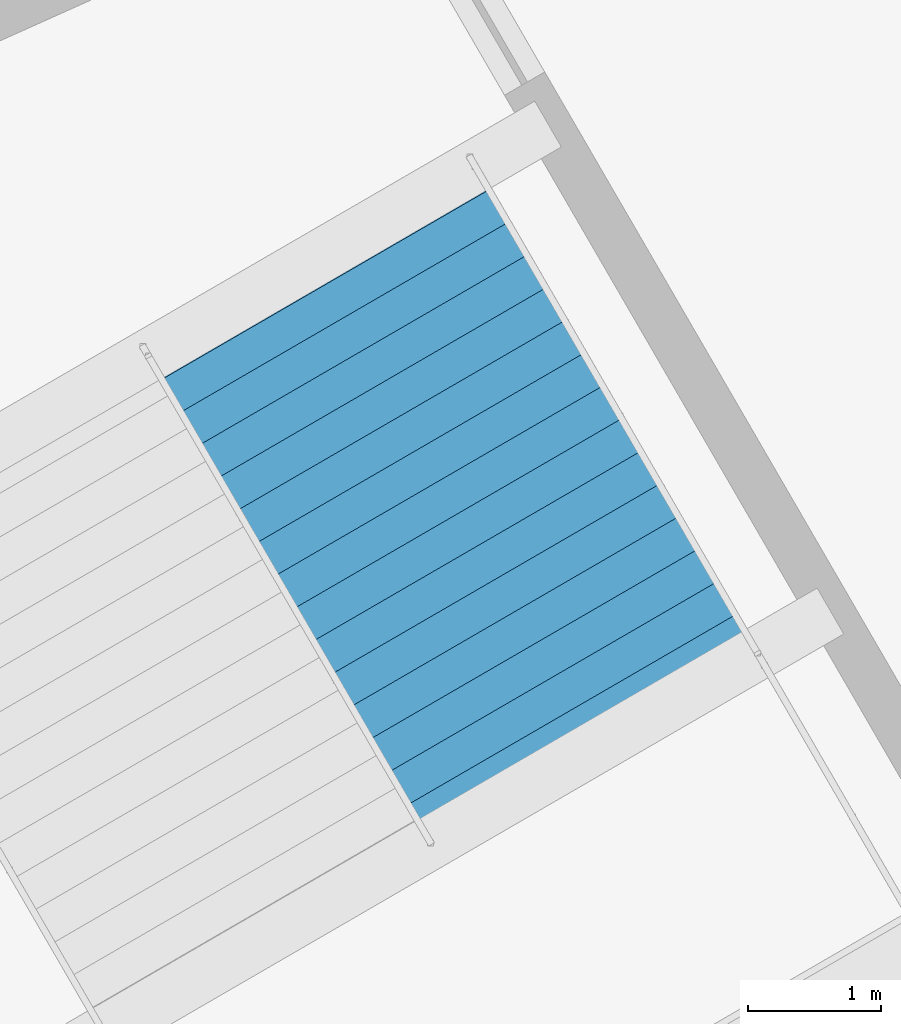
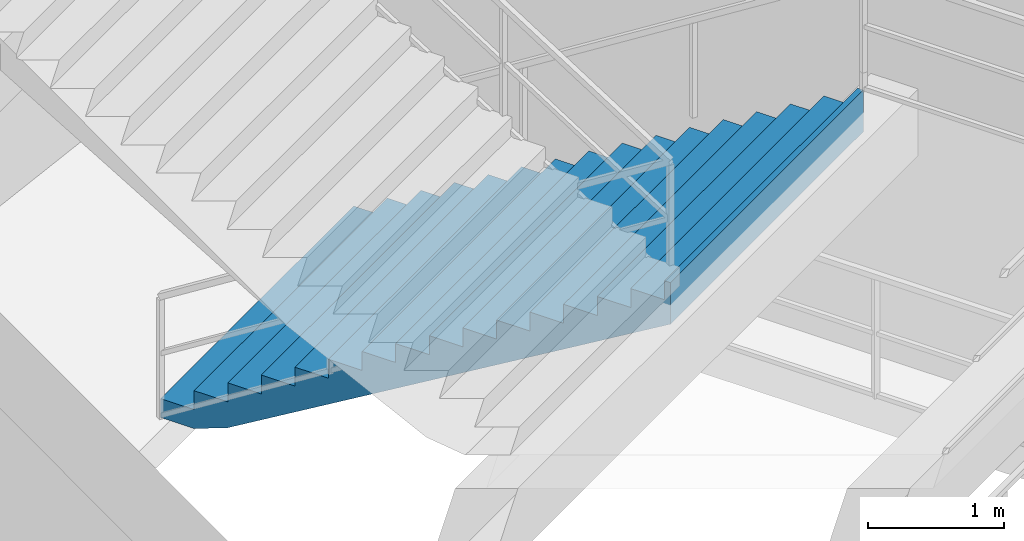
# One storey, part 144 of 186: 1 stair flight, 1 element without a shape of its own.
"""IFC4 building model written with IfcOpenShell, lengths in metres."""

import ifcopenshell
import ifcopenshell.guid

model = None  # the IFC model being written
_history = None  # IfcOwnerHistory: only IFC2X3 demands one
_inside = {}  # id of a spatial element -> (the spatial element, [elements in it])
_under = {}  # id of a project, library or spatial element -> (it, [spatial elements below it])
_declared = {}  # id of a project -> (the project, [libraries it declares])
_typed = {}  # id of a type object -> (the type object, [elements of that type])
_made_of = {}  # id of a material, layer set ... -> (it, [elements and type objects made of it])


def new_model(schema):
    """Start an empty IFC model of exactly this schema.

    Asked for "IFC4X3", IfcOpenShell would pick the latest addendum, in which some entities
    have other attributes; the version numbers below select the first issue.
    IFC2X3 requires an IfcOwnerHistory on every rooted entity: one is made here for all.
    """
    global model, _history
    if schema == "IFC4X3":
        model = ifcopenshell.file(schema_version=(4, 3, 0, 0))
    else:
        model = ifcopenshell.file(schema=schema)
    _inside.clear()
    _under.clear()
    _declared.clear()
    _typed.clear()
    _made_of.clear()
    _history = None
    if model.schema == "IFC2X3":
        org = make("IfcOrganization", Name="unknown")
        user = make(
            "IfcPersonAndOrganization",
            ThePerson=make("IfcPerson", FamilyName="unknown"),
            TheOrganization=org,
        )
        app = make(
            "IfcApplication",
            ApplicationDeveloper=org,
            Version="unknown",
            ApplicationFullName="unknown",
            ApplicationIdentifier="unknown",
        )
        _history = make(
            "IfcOwnerHistory",
            OwningUser=user,
            OwningApplication=app,
            ChangeAction="ADDED",
            CreationDate=0,
        )
    return model


def make(cls, **values):
    """One entity of the class cls with the attributes given. An attribute that is None is left unset."""
    return model.create_entity(
        cls, **{name: value for name, value in values.items() if value is not None}
    )


def rooted(cls, **values):
    """An entity with a GlobalId (a new one), such as an element, a storey or a relation."""
    return make(cls, GlobalId=ifcopenshell.guid.new(), OwnerHistory=_history, **values)


def si_unit(unit_type, name, prefix=None):
    """IfcSIUnit, for example si_unit("LENGTHUNIT", "METRE", prefix="MILLI")."""
    return make("IfcSIUnit", UnitType=unit_type, Prefix=prefix, Name=name)


def assignment(units):
    """IfcUnitAssignment: the units of a project."""
    return None if units is None else make("IfcUnitAssignment", Units=units)


def point(xyz):
    """IfcCartesianPoint."""
    return None if xyz is None else make("IfcCartesianPoint", Coordinates=xyz)


def direction(xyz):
    """IfcDirection."""
    return None if xyz is None else make("IfcDirection", DirectionRatios=xyz)


def frame(location, z_axis=None, x_axis=None):
    """IfcAxis2Placement3D, a coordinate frame: its origin and axes. An axis left out is left unset."""
    return make(
        "IfcAxis2Placement3D",
        Location=point(location),
        Axis=direction(z_axis),
        RefDirection=direction(x_axis),
    )


def origin():
    """The frame at (0, 0, 0) with its axes left unset."""
    return frame((0.0, 0.0, 0.0))


def place(relative_to, where):
    """IfcLocalPlacement: puts the frame where relative to a parent placement (None: the world)."""
    return make(
        "IfcLocalPlacement", PlacementRelTo=relative_to, RelativePlacement=where
    )


def context(
    kind, dimensions, precision=None, world=None, true_north=None, identifier=None
):
    """IfcGeometricRepresentationContext, for example the 3D "Model" context."""
    return make(
        "IfcGeometricRepresentationContext",
        ContextIdentifier=identifier,
        ContextType=kind,
        CoordinateSpaceDimension=dimensions,
        Precision=precision,
        WorldCoordinateSystem=world,
        TrueNorth=true_north,
    )


def subcontext(parent, identifier, kind, view, scale=None):
    """IfcGeometricRepresentationSubContext, for example "Body" below "Model"."""
    return make(
        "IfcGeometricRepresentationSubContext",
        ContextIdentifier=identifier,
        ContextType=kind,
        ParentContext=parent,
        TargetScale=scale,
        TargetView=view,
    )


def project(units=None, contexts=None):
    """IfcProject with its units and contexts."""
    return rooted(
        "IfcProject",
        Name="project",
        RepresentationContexts=contexts,
        UnitsInContext=assignment(units),
    )


def spatial(cls, under=None, at=None, **own):
    """A site, building, storey or space (cls), placed at a placement, below another one or the project."""
    s = rooted(cls, ObjectPlacement=at, **own)
    if under is not None:
        _under.setdefault(under.id(), (under, []))[1].append(s)
    return s


def point_list(points):
    """IfcCartesianPointList2D or 3D."""
    cls = (
        "IfcCartesianPointList2D" if len(points[0]) == 2 else "IfcCartesianPointList3D"
    )
    return make(cls, CoordList=points)


def polygons(points, faces, closed=None, point_numbers=None):
    """IfcPolygonalFaceSet: a face is its outer loop, then its inner loops; points numbered from 1."""
    made = []
    for loops in faces:
        if len(loops) == 1:
            made.append(make("IfcIndexedPolygonalFace", CoordIndex=loops[0]))
        else:
            made.append(
                make(
                    "IfcIndexedPolygonalFaceWithVoids",
                    CoordIndex=loops[0],
                    InnerCoordIndices=loops[1:],
                )
            )
    return make(
        "IfcPolygonalFaceSet",
        Coordinates=point_list(points),
        Closed=closed,
        Faces=made,
        PnIndex=point_numbers,
    )


def shape(context_of_items, identifier, shape_type, items):
    """IfcShapeRepresentation: the items that make up one representation, for example the "Body"."""
    return make(
        "IfcShapeRepresentation",
        ContextOfItems=context_of_items,
        RepresentationIdentifier=identifier,
        RepresentationType=shape_type,
        Items=items,
    )


def material(Name=None, Category=None):
    """IfcMaterial."""
    return make("IfcMaterial", Name=Name, Category=Category)


def made_of(thing, what):
    """Note that an element or type object is made of a material, layer set ...; save() writes the relation."""
    if what is not None:
        _made_of.setdefault(what.id(), (what, []))[1].append(thing)
    return thing


def type_object(cls, material=None, **own):
    """A type object (cls), such as IfcWallType, which elements share."""
    return made_of(rooted(cls, **own), material)


def element(
    cls,
    number,
    at=None,
    inside=None,
    cuts=None,
    type_object=None,
    material=None,
    context=None,
    identifier="Body",
    shape_type=None,
    held_by="IfcProductDefinitionShape",
    body=None,
    shapes=None,
    **own,
):
    """One element of the class cls, such as IfcWall. Its Tag is "e" and its number.

    at: its placement. inside: the storey or other place that contains it. cuts: it is an
    opening in that element (IfcRelVoidsElement). A single representation is given by context,
    identifier, shape_type and body (its items); several are given by shapes. held_by: the class
    of the entity that holds the representations. save() writes the other relations.
    """
    e = rooted(cls, Tag="e%d" % number, ObjectPlacement=at, **own)
    if body is not None:
        shapes = [shape(context, identifier, shape_type, body)]
    if shapes is not None:
        e.Representation = make(held_by, Representations=shapes)
    if inside is not None:
        _inside.setdefault(inside.id(), (inside, []))[1].append(e)
    if cuts is not None:
        rooted(
            "IfcRelVoidsElement", RelatingBuildingElement=cuts, RelatedOpeningElement=e
        )
    if type_object is not None:
        _typed.setdefault(type_object.id(), (type_object, []))[1].append(e)
    return made_of(e, material)


def aggregate(whole, parts):
    """IfcRelAggregates: a whole, such as a stair, and the parts it consists of."""
    return rooted("IfcRelAggregates", RelatingObject=whole, RelatedObjects=parts)


def save(model, path):
    """Write the relations noted so far, then the file.

    IfcRelAggregates (storeys below a building ...), IfcRelContainedInSpatialStructure (elements
    in a storey), IfcRelDefinesByType, IfcRelAssociatesMaterial and IfcRelDeclares: one each for
    every whole, place, type object, material and project.
    """
    for whole, parts in _under.values():
        aggregate(whole, parts)
    for where, things in _inside.values():
        rooted(
            "IfcRelContainedInSpatialStructure",
            RelatedElements=things,
            RelatingStructure=where,
        )
    for kind, things in _typed.values():
        rooted("IfcRelDefinesByType", RelatedObjects=things, RelatingType=kind)
    for what, things in _made_of.values():
        rooted("IfcRelAssociatesMaterial", RelatedObjects=things, RelatingMaterial=what)
    for by, libraries in _declared.values():
        rooted("IfcRelDeclares", RelatingContext=by, RelatedDefinitions=libraries)
    model.write(path)


model = new_model("IFC4")

# Units and contexts
model_context = context("Model", 3, precision=1e-05, world=origin(), true_north=direction((0.0, 1.0)))
body_context = subcontext(model_context, "Body", "Model", "MODEL_VIEW")
ifc_project = project(units=[si_unit("LENGTHUNIT", "METRE"), si_unit("AREAUNIT", "SQUARE_METRE"), si_unit("VOLUMEUNIT", "CUBIC_METRE"), si_unit("PLANEANGLEUNIT", "RADIAN"), si_unit("MASSUNIT", "GRAM", prefix="KILO")], contexts=[model_context])

# Site, building, storey
site_placement = place(None, origin())
site = spatial("IfcSite", under=ifc_project, at=site_placement, CompositionType="ELEMENT")
building_placement = place(site_placement, origin())
building = spatial("IfcBuilding", under=site, at=building_placement, Name="Kazemori Nagisa Stadium", CompositionType="ELEMENT")
storey_placement = place(building_placement, frame((0.0, 0.0, 20.39990234375)))
storey = spatial("IfcBuildingStorey", under=building, at=storey_placement, Name="L04", CompositionType="ELEMENT", Elevation=20.39990234375)

# Stair, stair flight
ifc_material = material(Name="Concrete C36/45 (Fc36)", Category="concrete")
stair_type = type_object("IfcStairType", Name="Stair_CORE_32", PredefinedType="TWO_STRAIGHT_RUN_STAIR", material=ifc_material)
stair_placement = place(storey_placement, origin())
stair = element("IfcStair", 1, at=stair_placement, inside=storey, type_object=stair_type, Name="Exit stair ST09 L04", PredefinedType="TWO_STRAIGHT_RUN_STAIR")
stair_flight_type = type_object("IfcStairFlightType", Name="Flight_CORE_16", PredefinedType="STRAIGHT", material=ifc_material)
stair_flight_placement = place(storey_placement, frame((43.585693359375, 63.55029296875, 0.0), z_axis=(0.0, 0.0, 1.0), x_axis=(0.501596719773, -0.865101572483, 0.0)))
stair_flight = element("IfcStairFlight", 2, at=stair_flight_placement, type_object=stair_flight_type, Name="Exit stair ST09 L04 flight 1", NumberOfRisers=16, NumberOfTreads=15, PredefinedType="STRAIGHT", RiserHeight=0.17, TreadLength=0.285, context=body_context, shape_type="Tessellation", body=[
    polygons([(0.0, -1.425048828125, 0.0), (0.0, -1.425048828125, 0.169921875), (0.284912109375, -1.425048828125, 0.169921875), (0.284912109375, -1.425048828125, 0.340087890625), (0.570068359375, -1.425048828125, 0.340087890625), (0.570068359375, -1.425048828125, 0.510009765625), (0.85498046875, -1.425048828125, 0.510009765625), (0.85498046875, -1.425048828125, 0.679931640625), (1.139892578125, -1.425048828125, 0.679931640625), (1.139892578125, -1.425048828125, 0.85009765625), (1.425048828125, -1.425048828125, 0.85009765625), (1.425048828125, -1.425048828125, 1.02001953125), (1.7099609375, -1.425048828125, 1.02001953125), (1.7099609375, -1.425048828125, 1.18994140625), (1.9951171875, -1.425048828125, 1.18994140625), (1.9951171875, -1.425048828125, 1.360107421875), (2.280029296875, -1.425048828125, 1.360107421875), (2.280029296875, -1.425048828125, 1.530029296875), (2.56494140625, -1.425048828125, 1.530029296875), (2.56494140625, -1.425048828125, 1.699951171875), (2.85009765625, -1.425048828125, 1.699951171875), (2.85009765625, -1.425048828125, 1.8701171875), (3.135009765625, -1.425048828125, 1.8701171875), (3.135009765625, -1.425048828125, 2.0400390625), (3.419921875, -1.425048828125, 2.0400390625), (3.419921875, -1.425048828125, 2.2099609375), (3.705078125, -1.425048828125, 2.2099609375), (3.705078125, -1.425048828125, 2.3798828125), (3.989990234375, -1.425048828125, 2.3798828125), (3.989990234375, -1.425048828125, 2.550048828125), (4.27490234375, -1.425048828125, 2.550048828125), (4.27490234375, -1.425048828125, 2.719970703125), (4.324951171875, -1.425048828125, 2.719970703125), (4.324951171875, -1.425048828125, 2.346923828125), (4.27490234375, -1.425048828125, 2.317138671875), (3.989990234375, -1.425048828125, 2.147216796875), (3.705078125, -1.425048828125, 1.977294921875), (3.419921875, -1.425048828125, 1.80712890625), (3.135009765625, -1.425048828125, 1.63720703125), (2.85009765625, -1.425048828125, 1.46728515625), (2.56494140625, -1.425048828125, 1.297119140625), (2.280029296875, -1.425048828125, 1.127197265625), (1.9951171875, -1.425048828125, 0.957275390625), (1.7099609375, -1.425048828125, 0.787109375), (1.425048828125, -1.425048828125, 0.6171875), (1.139892578125, -1.425048828125, 0.447265625), (0.85498046875, -1.425048828125, 0.277099609375), (0.570068359375, -1.425048828125, 0.107177734375), (0.284912109375, -1.425048828125, 0.0), (0.0, -0.08544921875, 0.0), (0.0, -0.08544921875, 0.169921875), (0.284912109375, -0.08544921875, 0.169921875), (0.284912109375, -0.08544921875, 0.340087890625), (0.570068359375, -0.08544921875, 0.340087890625), (0.570068359375, -0.08544921875, 0.510009765625), (0.85498046875, -0.08544921875, 0.510009765625), (0.85498046875, -0.08544921875, 0.679931640625), (1.139892578125, -0.08544921875, 0.679931640625), (1.139892578125, -0.08544921875, 0.85009765625), (1.425048828125, -0.08544921875, 0.85009765625), (1.425048828125, -0.08544921875, 1.02001953125), (1.7099609375, -0.08544921875, 1.02001953125), (1.7099609375, -0.08544921875, 1.18994140625), (1.9951171875, -0.08544921875, 1.18994140625), (1.9951171875, -0.08544921875, 1.360107421875), (2.280029296875, -0.08544921875, 1.360107421875), (2.280029296875, -0.08544921875, 1.530029296875), (2.56494140625, -0.08544921875, 1.530029296875), (2.56494140625, -0.08544921875, 1.699951171875), (2.85009765625, -0.08544921875, 1.699951171875), (2.85009765625, -0.08544921875, 1.8701171875), (3.135009765625, -0.08544921875, 1.8701171875), (3.135009765625, -0.08544921875, 2.0400390625), (3.419921875, -0.08544921875, 2.0400390625), (3.419921875, -0.08544921875, 2.2099609375), (3.705078125, -0.08544921875, 2.2099609375), (3.705078125, -0.08544921875, 2.3798828125), (3.989990234375, -0.08544921875, 2.3798828125), (3.989990234375, -0.08544921875, 2.550048828125), (4.27490234375, -0.08544921875, 2.550048828125), (4.27490234375, -0.08544921875, 2.719970703125), (4.324951171875, -0.08544921875, 2.719970703125), (4.324951171875, -0.08544921875, 2.346923828125), (4.27490234375, -0.08544921875, 2.317138671875), (3.989990234375, -0.08544921875, 2.147216796875), (3.705078125, -0.08544921875, 1.977294921875), (3.419921875, -0.08544921875, 1.80712890625), (3.135009765625, -0.08544921875, 1.63720703125), (2.85009765625, -0.08544921875, 1.46728515625), (2.56494140625, -0.08544921875, 1.297119140625), (2.280029296875, -0.08544921875, 1.127197265625), (1.9951171875, -0.08544921875, 0.957275390625), (1.7099609375, -0.08544921875, 0.787109375), (1.425048828125, -0.08544921875, 0.6171875), (1.139892578125, -0.08544921875, 0.447265625), (0.85498046875, -0.08544921875, 0.277099609375), (0.570068359375, -0.08544921875, 0.107177734375), (0.284912109375, -0.08544921875, 0.0), (0.0, 0.0, 0.0), (0.0, 0.0, 0.169921875), (0.284912109375, 0.0, 0.169921875), (0.284912109375, 0.0, 0.340087890625), (0.570068359375, 0.0, 0.340087890625), (0.570068359375, 0.0, 0.510009765625), (0.85498046875, 0.0, 0.510009765625), (0.85498046875, 0.0, 0.679931640625), (1.139892578125, 0.0, 0.679931640625), (1.139892578125, 0.0, 0.85009765625), (1.425048828125, 0.0, 0.85009765625), (1.425048828125, 0.0, 1.02001953125), (1.7099609375, 0.0, 1.02001953125), (1.7099609375, 0.0, 1.18994140625), (1.9951171875, 0.0, 1.18994140625), (1.9951171875, 0.0, 1.360107421875), (2.280029296875, 0.0, 1.360107421875), (2.280029296875, 0.0, 1.530029296875), (2.56494140625, 0.0, 1.530029296875), (2.56494140625, 0.0, 1.699951171875), (2.85009765625, 0.0, 1.699951171875), (2.85009765625, 0.0, 1.8701171875), (3.135009765625, 0.0, 1.8701171875), (3.135009765625, 0.0, 2.0400390625), (3.419921875, 0.0, 2.0400390625), (3.419921875, 0.0, 2.2099609375), (3.705078125, 0.0, 2.2099609375), (3.705078125, 0.0, 2.3798828125), (3.989990234375, 0.0, 2.3798828125), (3.989990234375, 0.0, 2.550048828125), (4.27490234375, 0.0, 2.550048828125), (4.27490234375, 0.0, 2.719970703125), (4.324951171875, 0.0, 2.719970703125), (4.324951171875, 0.0, 2.346923828125), (4.27490234375, 0.0, 2.317138671875), (3.989990234375, 0.0, 2.147216796875), (3.705078125, 0.0, 1.977294921875), (3.419921875, 0.0, 1.80712890625), (3.135009765625, 0.0, 1.63720703125), (2.85009765625, 0.0, 1.46728515625), (2.56494140625, 0.0, 1.297119140625), (2.280029296875, 0.0, 1.127197265625), (1.9951171875, 0.0, 0.957275390625), (1.7099609375, 0.0, 0.787109375), (1.425048828125, 0.0, 0.6171875), (1.139892578125, 0.0, 0.447265625), (0.85498046875, 0.0, 0.277099609375), (0.570068359375, 0.0, 0.107177734375), (0.284912109375, 0.0, 0.0), (0.0, 0.08544921875, 0.0), (0.0, 0.08544921875, 0.169921875), (0.284912109375, 0.08544921875, 0.169921875), (0.284912109375, 0.08544921875, 0.340087890625), (0.570068359375, 0.08544921875, 0.340087890625), (0.570068359375, 0.08544921875, 0.510009765625), (0.85498046875, 0.08544921875, 0.510009765625), (0.85498046875, 0.08544921875, 0.679931640625), (1.139892578125, 0.08544921875, 0.679931640625), (1.139892578125, 0.08544921875, 0.85009765625), (1.425048828125, 0.08544921875, 0.85009765625), (1.425048828125, 0.08544921875, 1.02001953125), (1.7099609375, 0.08544921875, 1.02001953125), (1.7099609375, 0.08544921875, 1.18994140625), (1.9951171875, 0.08544921875, 1.18994140625), (1.9951171875, 0.08544921875, 1.360107421875), (2.280029296875, 0.08544921875, 1.360107421875), (2.280029296875, 0.08544921875, 1.530029296875), (2.56494140625, 0.08544921875, 1.530029296875), (2.56494140625, 0.08544921875, 1.699951171875), (2.85009765625, 0.08544921875, 1.699951171875), (2.85009765625, 0.08544921875, 1.8701171875), (3.135009765625, 0.08544921875, 1.8701171875), (3.135009765625, 0.08544921875, 2.0400390625), (3.419921875, 0.08544921875, 2.0400390625), (3.419921875, 0.08544921875, 2.2099609375), (3.705078125, 0.08544921875, 2.2099609375), (3.705078125, 0.08544921875, 2.3798828125), (3.989990234375, 0.08544921875, 2.3798828125), (3.989990234375, 0.08544921875, 2.550048828125), (4.27490234375, 0.08544921875, 2.550048828125), (4.27490234375, 0.08544921875, 2.719970703125), (4.324951171875, 0.08544921875, 2.719970703125), (4.324951171875, 0.08544921875, 2.346923828125), (4.27490234375, 0.08544921875, 2.317138671875), (3.989990234375, 0.08544921875, 2.147216796875), (3.705078125, 0.08544921875, 1.977294921875), (3.419921875, 0.08544921875, 1.80712890625), (3.135009765625, 0.08544921875, 1.63720703125), (2.85009765625, 0.08544921875, 1.46728515625), (2.56494140625, 0.08544921875, 1.297119140625), (2.280029296875, 0.08544921875, 1.127197265625), (1.9951171875, 0.08544921875, 0.957275390625), (1.7099609375, 0.08544921875, 0.787109375), (1.425048828125, 0.08544921875, 0.6171875), (1.139892578125, 0.08544921875, 0.447265625), (0.85498046875, 0.08544921875, 0.277099609375), (0.570068359375, 0.08544921875, 0.107177734375), (0.284912109375, 0.08544921875, 0.0), (0.0, 1.425048828125, 0.0), (0.0, 1.425048828125, 0.169921875), (0.284912109375, 1.425048828125, 0.169921875), (0.284912109375, 1.425048828125, 0.340087890625), (0.570068359375, 1.425048828125, 0.340087890625), (0.570068359375, 1.425048828125, 0.510009765625), (0.85498046875, 1.425048828125, 0.510009765625), (0.85498046875, 1.425048828125, 0.679931640625), (1.139892578125, 1.425048828125, 0.679931640625), (1.139892578125, 1.425048828125, 0.85009765625), (1.425048828125, 1.425048828125, 0.85009765625), (1.425048828125, 1.425048828125, 1.02001953125), (1.7099609375, 1.425048828125, 1.02001953125), (1.7099609375, 1.425048828125, 1.18994140625), (1.9951171875, 1.425048828125, 1.18994140625), (1.9951171875, 1.425048828125, 1.360107421875), (2.280029296875, 1.425048828125, 1.360107421875), (2.280029296875, 1.425048828125, 1.530029296875), (2.56494140625, 1.425048828125, 1.530029296875), (2.56494140625, 1.425048828125, 1.699951171875), (2.85009765625, 1.425048828125, 1.699951171875), (2.85009765625, 1.425048828125, 1.8701171875), (3.135009765625, 1.425048828125, 1.8701171875), (3.135009765625, 1.425048828125, 2.0400390625), (3.419921875, 1.425048828125, 2.0400390625), (3.419921875, 1.425048828125, 2.2099609375), (3.705078125, 1.425048828125, 2.2099609375), (3.705078125, 1.425048828125, 2.3798828125), (3.989990234375, 1.425048828125, 2.3798828125), (3.989990234375, 1.425048828125, 2.550048828125), (4.27490234375, 1.425048828125, 2.550048828125), (4.27490234375, 1.425048828125, 2.719970703125), (4.324951171875, 1.425048828125, 2.719970703125), (4.324951171875, 1.425048828125, 2.346923828125), (4.27490234375, 1.425048828125, 2.317138671875), (3.989990234375, 1.425048828125, 2.147216796875), (3.705078125, 1.425048828125, 1.977294921875), (3.419921875, 1.425048828125, 1.80712890625), (3.135009765625, 1.425048828125, 1.63720703125), (2.85009765625, 1.425048828125, 1.46728515625), (2.56494140625, 1.425048828125, 1.297119140625), (2.280029296875, 1.425048828125, 1.127197265625), (1.9951171875, 1.425048828125, 0.957275390625), (1.7099609375, 1.425048828125, 0.787109375), (1.425048828125, 1.425048828125, 0.6171875), (1.139892578125, 1.425048828125, 0.447265625), (0.85498046875, 1.425048828125, 0.277099609375), (0.570068359375, 1.425048828125, 0.107177734375), (0.284912109375, 1.425048828125, 0.0)], [[[1, 2, 51]], [[1, 51, 50]], [[2, 3, 52]], [[2, 52, 51]], [[3, 4, 53]], [[3, 53, 52]], [[4, 5, 54]], [[4, 54, 53]], [[5, 6, 55]], [[5, 55, 54]], [[6, 7, 56]], [[6, 56, 55]], [[7, 8, 57]], [[7, 57, 56]], [[8, 9, 58]], [[8, 58, 57]], [[9, 10, 59]], [[9, 59, 58]], [[10, 11, 60]], [[10, 60, 59]], [[11, 12, 61]], [[11, 61, 60]], [[12, 13, 62]], [[12, 62, 61]], [[13, 14, 63]], [[13, 63, 62]], [[14, 15, 64]], [[14, 64, 63]], [[15, 16, 65]], [[15, 65, 64]], [[16, 17, 66]], [[16, 66, 65]], [[17, 18, 67]], [[17, 67, 66]], [[18, 19, 68]], [[18, 68, 67]], [[19, 20, 69]], [[19, 69, 68]], [[20, 21, 70]], [[20, 70, 69]], [[21, 22, 71]], [[21, 71, 70]], [[22, 23, 72]], [[22, 72, 71]], [[23, 24, 73]], [[23, 73, 72]], [[24, 25, 74]], [[24, 74, 73]], [[25, 26, 75]], [[25, 75, 74]], [[26, 27, 76]], [[26, 76, 75]], [[27, 28, 77]], [[27, 77, 76]], [[28, 29, 78]], [[28, 78, 77]], [[29, 30, 79]], [[29, 79, 78]], [[30, 31, 80]], [[30, 80, 79]], [[31, 32, 81]], [[31, 81, 80]], [[32, 33, 82]], [[32, 82, 81]], [[33, 34, 83]], [[33, 83, 82]], [[34, 35, 84]], [[34, 84, 83]], [[35, 36, 85]], [[35, 85, 84]], [[36, 37, 86]], [[36, 86, 85]], [[37, 38, 87]], [[37, 87, 86]], [[38, 39, 88]], [[38, 88, 87]], [[39, 40, 89]], [[39, 89, 88]], [[40, 41, 90]], [[40, 90, 89]], [[41, 42, 91]], [[41, 91, 90]], [[42, 43, 92]], [[42, 92, 91]], [[43, 44, 93]], [[43, 93, 92]], [[44, 45, 94]], [[44, 94, 93]], [[45, 46, 95]], [[45, 95, 94]], [[46, 47, 96]], [[46, 96, 95]], [[47, 48, 97]], [[47, 97, 96]], [[48, 49, 98]], [[48, 98, 97]], [[49, 1, 50]], [[49, 50, 98]], [[50, 51, 100]], [[50, 100, 99]], [[51, 52, 101]], [[51, 101, 100]], [[52, 53, 102]], [[52, 102, 101]], [[53, 54, 103]], [[53, 103, 102]], [[54, 55, 104]], [[54, 104, 103]], [[55, 56, 105]], [[55, 105, 104]], [[56, 57, 106]], [[56, 106, 105]], [[57, 58, 107]], [[57, 107, 106]], [[58, 59, 108]], [[58, 108, 107]], [[59, 60, 109]], [[59, 109, 108]], [[60, 61, 110]], [[60, 110, 109]], [[61, 62, 111]], [[61, 111, 110]], [[62, 63, 112]], [[62, 112, 111]], [[63, 64, 113]], [[63, 113, 112]], [[64, 65, 114]], [[64, 114, 113]], [[65, 66, 115]], [[65, 115, 114]], [[66, 67, 116]], [[66, 116, 115]], [[67, 68, 117]], [[67, 117, 116]], [[68, 69, 118]], [[68, 118, 117]], [[69, 70, 119]], [[69, 119, 118]], [[70, 71, 120]], [[70, 120, 119]], [[71, 72, 121]], [[71, 121, 120]], [[72, 73, 122]], [[72, 122, 121]], [[73, 74, 123]], [[73, 123, 122]], [[74, 75, 124]], [[74, 124, 123]], [[75, 76, 125]], [[75, 125, 124]], [[76, 77, 126]], [[76, 126, 125]], [[77, 78, 127]], [[77, 127, 126]], [[78, 79, 128]], [[78, 128, 127]], [[79, 80, 129]], [[79, 129, 128]], [[80, 81, 130]], [[80, 130, 129]], [[81, 82, 131]], [[81, 131, 130]], [[82, 83, 132]], [[82, 132, 131]], [[83, 84, 133]], [[83, 133, 132]], [[84, 85, 134]], [[84, 134, 133]], [[85, 86, 135]], [[85, 135, 134]], [[86, 87, 136]], [[86, 136, 135]], [[87, 88, 137]], [[87, 137, 136]], [[88, 89, 138]], [[88, 138, 137]], [[89, 90, 139]], [[89, 139, 138]], [[90, 91, 140]], [[90, 140, 139]], [[91, 92, 141]], [[91, 141, 140]], [[92, 93, 142]], [[92, 142, 141]], [[93, 94, 143]], [[93, 143, 142]], [[94, 95, 144]], [[94, 144, 143]], [[95, 96, 145]], [[95, 145, 144]], [[96, 97, 146]], [[96, 146, 145]], [[97, 98, 147]], [[97, 147, 146]], [[98, 50, 99]], [[98, 99, 147]], [[99, 100, 149]], [[99, 149, 148]], [[100, 101, 150]], [[100, 150, 149]], [[101, 102, 151]], [[101, 151, 150]], [[102, 103, 152]], [[102, 152, 151]], [[103, 104, 153]], [[103, 153, 152]], [[104, 105, 154]], [[104, 154, 153]], [[105, 106, 155]], [[105, 155, 154]], [[106, 107, 156]], [[106, 156, 155]], [[107, 108, 157]], [[107, 157, 156]], [[108, 109, 158]], [[108, 158, 157]], [[109, 110, 159]], [[109, 159, 158]], [[110, 111, 160]], [[110, 160, 159]], [[111, 112, 161]], [[111, 161, 160]], [[112, 113, 162]], [[112, 162, 161]], [[113, 114, 163]], [[113, 163, 162]], [[114, 115, 164]], [[114, 164, 163]], [[115, 116, 165]], [[115, 165, 164]], [[116, 117, 166]], [[116, 166, 165]], [[117, 118, 167]], [[117, 167, 166]], [[118, 119, 168]], [[118, 168, 167]], [[119, 120, 169]], [[119, 169, 168]], [[120, 121, 170]], [[120, 170, 169]], [[121, 122, 171]], [[121, 171, 170]], [[122, 123, 172]], [[122, 172, 171]], [[123, 124, 173]], [[123, 173, 172]], [[124, 125, 174]], [[124, 174, 173]], [[125, 126, 175]], [[125, 175, 174]], [[126, 127, 176]], [[126, 176, 175]], [[127, 128, 177]], [[127, 177, 176]], [[128, 129, 178]], [[128, 178, 177]], [[129, 130, 179]], [[129, 179, 178]], [[130, 131, 180]], [[130, 180, 179]], [[131, 132, 181]], [[131, 181, 180]], [[132, 133, 182]], [[132, 182, 181]], [[133, 134, 183]], [[133, 183, 182]], [[134, 135, 184]], [[134, 184, 183]], [[135, 136, 185]], [[135, 185, 184]], [[136, 137, 186]], [[136, 186, 185]], [[137, 138, 187]], [[137, 187, 186]], [[138, 139, 188]], [[138, 188, 187]], [[139, 140, 189]], [[139, 189, 188]], [[140, 141, 190]], [[140, 190, 189]], [[141, 142, 191]], [[141, 191, 190]], [[142, 143, 192]], [[142, 192, 191]], [[143, 144, 193]], [[143, 193, 192]], [[144, 145, 194]], [[144, 194, 193]], [[145, 146, 195]], [[145, 195, 194]], [[146, 147, 196]], [[146, 196, 195]], [[147, 99, 148]], [[147, 148, 196]], [[148, 149, 198]], [[148, 198, 197]], [[149, 150, 199]], [[149, 199, 198]], [[150, 151, 200]], [[150, 200, 199]], [[151, 152, 201]], [[151, 201, 200]], [[152, 153, 202]], [[152, 202, 201]], [[153, 154, 203]], [[153, 203, 202]], [[154, 155, 204]], [[154, 204, 203]], [[155, 156, 205]], [[155, 205, 204]], [[156, 157, 206]], [[156, 206, 205]], [[157, 158, 207]], [[157, 207, 206]], [[158, 159, 208]], [[158, 208, 207]], [[159, 160, 209]], [[159, 209, 208]], [[160, 161, 210]], [[160, 210, 209]], [[161, 162, 211]], [[161, 211, 210]], [[162, 163, 212]], [[162, 212, 211]], [[163, 164, 213]], [[163, 213, 212]], [[164, 165, 214]], [[164, 214, 213]], [[165, 166, 215]], [[165, 215, 214]], [[166, 167, 216]], [[166, 216, 215]], [[167, 168, 217]], [[167, 217, 216]], [[168, 169, 218]], [[168, 218, 217]], [[169, 170, 219]], [[169, 219, 218]], [[170, 171, 220]], [[170, 220, 219]], [[171, 172, 221]], [[171, 221, 220]], [[172, 173, 222]], [[172, 222, 221]], [[173, 174, 223]], [[173, 223, 222]], [[174, 175, 224]], [[174, 224, 223]], [[175, 176, 225]], [[175, 225, 224]], [[176, 177, 226]], [[176, 226, 225]], [[177, 178, 227]], [[177, 227, 226]], [[178, 179, 228]], [[178, 228, 227]], [[179, 180, 229]], [[179, 229, 228]], [[180, 181, 230]], [[180, 230, 229]], [[181, 182, 231]], [[181, 231, 230]], [[182, 183, 232]], [[182, 232, 231]], [[183, 184, 233]], [[183, 233, 232]], [[184, 185, 234]], [[184, 234, 233]], [[185, 186, 235]], [[185, 235, 234]], [[186, 187, 236]], [[186, 236, 235]], [[187, 188, 237]], [[187, 237, 236]], [[188, 189, 238]], [[188, 238, 237]], [[189, 190, 239]], [[189, 239, 238]], [[190, 191, 240]], [[190, 240, 239]], [[191, 192, 241]], [[191, 241, 240]], [[192, 193, 242]], [[192, 242, 241]], [[193, 194, 243]], [[193, 243, 242]], [[194, 195, 244]], [[194, 244, 243]], [[195, 196, 245]], [[195, 245, 244]], [[196, 148, 197]], [[196, 197, 245]], [[3, 2, 1]], [[197, 198, 199]], [[49, 3, 1]], [[197, 199, 245]], [[48, 3, 49]], [[245, 199, 244]], [[5, 3, 48]], [[244, 199, 201]], [[5, 4, 3]], [[199, 200, 201]], [[47, 5, 48]], [[244, 201, 243]], [[7, 5, 47]], [[243, 201, 203]], [[7, 6, 5]], [[201, 202, 203]], [[46, 7, 47]], [[243, 203, 242]], [[9, 7, 46]], [[242, 203, 205]], [[9, 8, 7]], [[203, 204, 205]], [[45, 9, 46]], [[242, 205, 241]], [[11, 9, 45]], [[241, 205, 207]], [[11, 10, 9]], [[205, 206, 207]], [[44, 11, 45]], [[241, 207, 240]], [[13, 11, 44]], [[240, 207, 209]], [[13, 12, 11]], [[207, 208, 209]], [[43, 13, 44]], [[240, 209, 239]], [[15, 13, 43]], [[239, 209, 211]], [[15, 14, 13]], [[209, 210, 211]], [[42, 15, 43]], [[239, 211, 238]], [[17, 15, 42]], [[238, 211, 213]], [[17, 16, 15]], [[211, 212, 213]], [[41, 17, 42]], [[238, 213, 237]], [[19, 17, 41]], [[237, 213, 215]], [[19, 18, 17]], [[213, 214, 215]], [[40, 19, 41]], [[237, 215, 236]], [[21, 19, 40]], [[236, 215, 217]], [[21, 20, 19]], [[215, 216, 217]], [[39, 21, 40]], [[236, 217, 235]], [[23, 21, 39]], [[235, 217, 219]], [[23, 22, 21]], [[217, 218, 219]], [[38, 23, 39]], [[235, 219, 234]], [[25, 23, 38]], [[234, 219, 221]], [[25, 24, 23]], [[219, 220, 221]], [[37, 25, 38]], [[234, 221, 233]], [[27, 25, 37]], [[233, 221, 223]], [[27, 26, 25]], [[221, 222, 223]], [[36, 27, 37]], [[233, 223, 232]], [[29, 27, 36]], [[232, 223, 225]], [[29, 28, 27]], [[223, 224, 225]], [[35, 29, 36]], [[232, 225, 231]], [[31, 29, 35]], [[231, 225, 227]], [[31, 30, 29]], [[225, 226, 227]], [[34, 31, 35]], [[231, 227, 230]], [[33, 31, 34]], [[230, 227, 229]], [[33, 32, 31]], [[227, 228, 229]]], closed=True),
])
aggregate(stair, [stair_flight])

save(model, "model.ifc")
